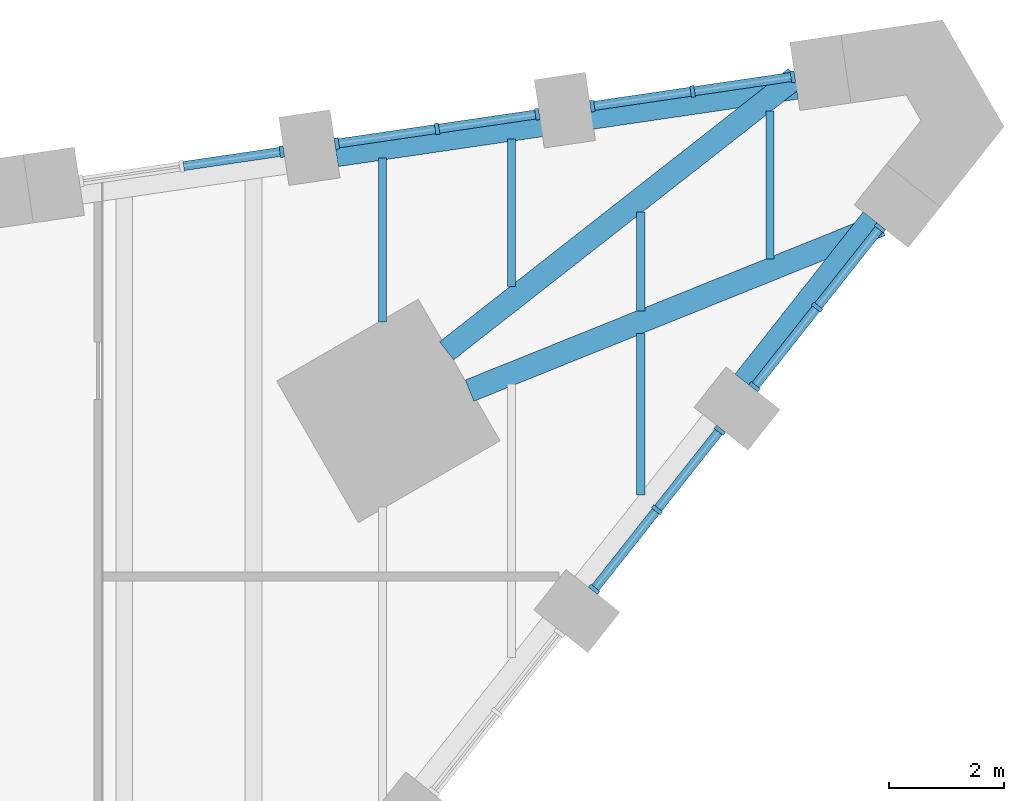
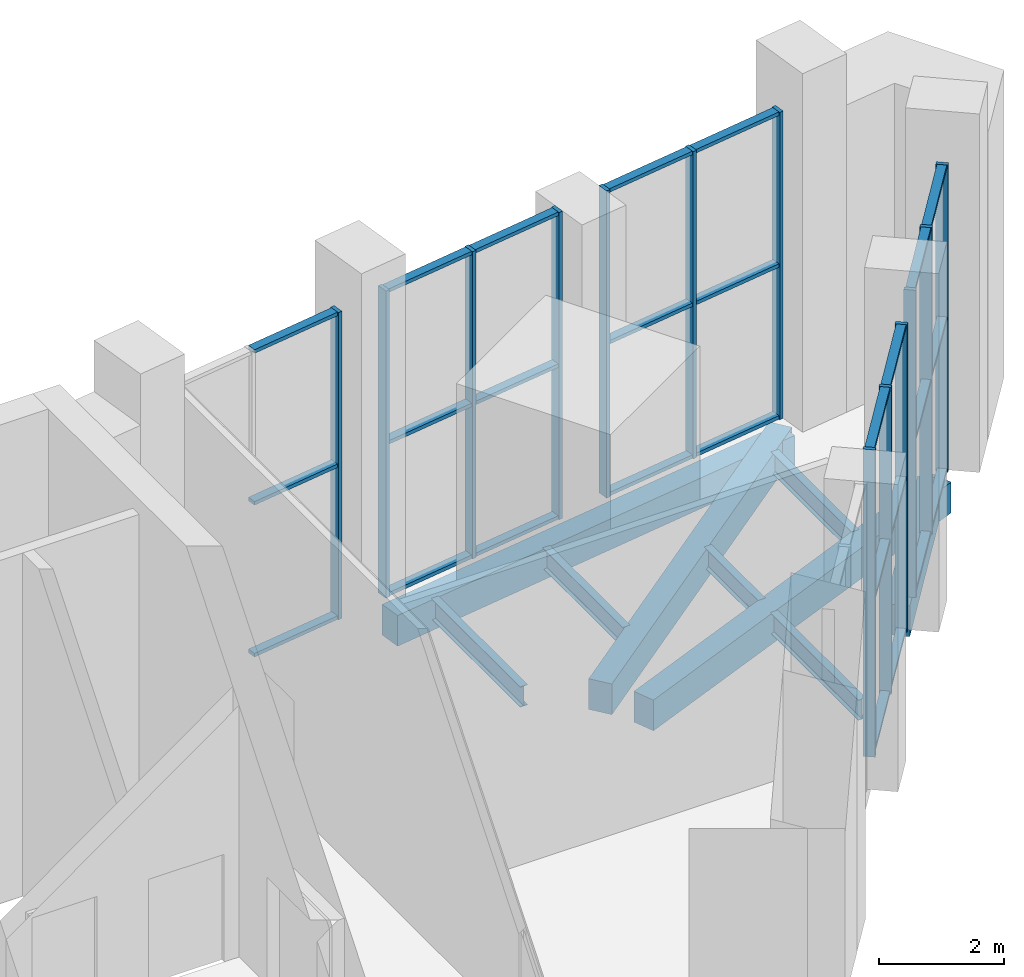
# One storey, part 8 of 17: 40 members, 9 beams, 5 elements without a shape of their own.
"""IFC4 building model written with IfcOpenShell, lengths in metres."""

import ifcopenshell
import ifcopenshell.guid

model = None  # the IFC model being written
_history = None  # IfcOwnerHistory: only IFC2X3 demands one
_inside = {}  # id of a spatial element -> (the spatial element, [elements in it])
_under = {}  # id of a project, library or spatial element -> (it, [spatial elements below it])
_declared = {}  # id of a project -> (the project, [libraries it declares])
_typed = {}  # id of a type object -> (the type object, [elements of that type])
_made_of = {}  # id of a material, layer set ... -> (it, [elements and type objects made of it])


def new_model(schema):
    """Start an empty IFC model of exactly this schema.

    Asked for "IFC4X3", IfcOpenShell would pick the latest addendum, in which some entities
    have other attributes; the version numbers below select the first issue.
    IFC2X3 requires an IfcOwnerHistory on every rooted entity: one is made here for all.
    """
    global model, _history
    if schema == "IFC4X3":
        model = ifcopenshell.file(schema_version=(4, 3, 0, 0))
    else:
        model = ifcopenshell.file(schema=schema)
    _inside.clear()
    _under.clear()
    _declared.clear()
    _typed.clear()
    _made_of.clear()
    _history = None
    if model.schema == "IFC2X3":
        org = make("IfcOrganization", Name="unknown")
        user = make(
            "IfcPersonAndOrganization",
            ThePerson=make("IfcPerson", FamilyName="unknown"),
            TheOrganization=org,
        )
        app = make(
            "IfcApplication",
            ApplicationDeveloper=org,
            Version="unknown",
            ApplicationFullName="unknown",
            ApplicationIdentifier="unknown",
        )
        _history = make(
            "IfcOwnerHistory",
            OwningUser=user,
            OwningApplication=app,
            ChangeAction="ADDED",
            CreationDate=0,
        )
    return model


def make(cls, **values):
    """One entity of the class cls with the attributes given. An attribute that is None is left unset."""
    return model.create_entity(
        cls, **{name: value for name, value in values.items() if value is not None}
    )


def rooted(cls, **values):
    """An entity with a GlobalId (a new one), such as an element, a storey or a relation."""
    return make(cls, GlobalId=ifcopenshell.guid.new(), OwnerHistory=_history, **values)


def si_unit(unit_type, name, prefix=None):
    """IfcSIUnit, for example si_unit("LENGTHUNIT", "METRE", prefix="MILLI")."""
    return make("IfcSIUnit", UnitType=unit_type, Prefix=prefix, Name=name)


def assignment(units):
    """IfcUnitAssignment: the units of a project."""
    return None if units is None else make("IfcUnitAssignment", Units=units)


def point(xyz):
    """IfcCartesianPoint."""
    return None if xyz is None else make("IfcCartesianPoint", Coordinates=xyz)


def direction(xyz):
    """IfcDirection."""
    return None if xyz is None else make("IfcDirection", DirectionRatios=xyz)


def frame(location, z_axis=None, x_axis=None):
    """IfcAxis2Placement3D, a coordinate frame: its origin and axes. An axis left out is left unset."""
    return make(
        "IfcAxis2Placement3D",
        Location=point(location),
        Axis=direction(z_axis),
        RefDirection=direction(x_axis),
    )


def frame_2d(location, x_axis=None):
    """IfcAxis2Placement2D, a coordinate frame in the plane: its origin and x axis."""
    return make(
        "IfcAxis2Placement2D", Location=point(location), RefDirection=direction(x_axis)
    )


def origin():
    """The frame at (0, 0, 0) with its axes left unset."""
    return frame((0.0, 0.0, 0.0))


def origin_2d():
    """The frame at (0, 0) in the plane with its x axis left unset."""
    return frame_2d((0.0, 0.0))


def place(relative_to, where):
    """IfcLocalPlacement: puts the frame where relative to a parent placement (None: the world)."""
    return make(
        "IfcLocalPlacement", PlacementRelTo=relative_to, RelativePlacement=where
    )


def context(
    kind, dimensions, precision=None, world=None, true_north=None, identifier=None
):
    """IfcGeometricRepresentationContext, for example the 3D "Model" context."""
    return make(
        "IfcGeometricRepresentationContext",
        ContextIdentifier=identifier,
        ContextType=kind,
        CoordinateSpaceDimension=dimensions,
        Precision=precision,
        WorldCoordinateSystem=world,
        TrueNorth=true_north,
    )


def subcontext(parent, identifier, kind, view, scale=None):
    """IfcGeometricRepresentationSubContext, for example "Body" below "Model"."""
    return make(
        "IfcGeometricRepresentationSubContext",
        ContextIdentifier=identifier,
        ContextType=kind,
        ParentContext=parent,
        TargetScale=scale,
        TargetView=view,
    )


def project(units=None, contexts=None):
    """IfcProject with its units and contexts."""
    return rooted(
        "IfcProject",
        Name="project",
        RepresentationContexts=contexts,
        UnitsInContext=assignment(units),
    )


def spatial(cls, under=None, at=None, **own):
    """A site, building, storey or space (cls), placed at a placement, below another one or the project."""
    s = rooted(cls, ObjectPlacement=at, **own)
    if under is not None:
        _under.setdefault(under.id(), (under, []))[1].append(s)
    return s


def profile(cls, at=None, kind="AREA", **sizes):
    """A parametric profile (cls). Its sizes go by their IFC names, for example OverallWidth=200.0."""
    return make(cls, ProfileType=kind, Position=at, **sizes)


def rectangle(**sizes):
    """IfcRectangleProfileDef."""
    return profile("IfcRectangleProfileDef", **sizes)


def i_section(**sizes):
    """IfcIShapeProfileDef."""
    return profile("IfcIShapeProfileDef", **sizes)


def extrude(swept, where, along, depth):
    """IfcExtrudedAreaSolid: the profile swept, set in the frame where, extruded along a direction by depth."""
    return make(
        "IfcExtrudedAreaSolid",
        SweptArea=swept,
        Position=where,
        ExtrudedDirection=direction(along),
        Depth=depth,
    )


def shape(context_of_items, identifier, shape_type, items):
    """IfcShapeRepresentation: the items that make up one representation, for example the "Body"."""
    return make(
        "IfcShapeRepresentation",
        ContextOfItems=context_of_items,
        RepresentationIdentifier=identifier,
        RepresentationType=shape_type,
        Items=items,
    )


def material(Name=None, Category=None):
    """IfcMaterial."""
    return make("IfcMaterial", Name=Name, Category=Category)


def material_profile(
    of_material, cross_section, Name=None, Category=None, Priority=None
):
    """IfcMaterialProfile: a cross section and its material."""
    return make(
        "IfcMaterialProfile",
        Name=Name,
        Material=of_material,
        Profile=cross_section,
        Priority=Priority,
        Category=Category,
    )


def profile_set(profiles, Name=None, composite=None):
    """IfcMaterialProfileSet."""
    return make(
        "IfcMaterialProfileSet",
        Name=Name,
        MaterialProfiles=profiles,
        CompositeProfile=composite,
    )


def made_of(thing, what):
    """Note that an element or type object is made of a material, layer set ...; save() writes the relation."""
    if what is not None:
        _made_of.setdefault(what.id(), (what, []))[1].append(thing)
    return thing


def type_object(cls, material=None, **own):
    """A type object (cls), such as IfcWallType, which elements share."""
    return made_of(rooted(cls, **own), material)


def element(
    cls,
    number,
    at=None,
    inside=None,
    cuts=None,
    type_object=None,
    material=None,
    context=None,
    identifier="Body",
    shape_type=None,
    held_by="IfcProductDefinitionShape",
    body=None,
    shapes=None,
    **own,
):
    """One element of the class cls, such as IfcWall. Its Tag is "e" and its number.

    at: its placement. inside: the storey or other place that contains it. cuts: it is an
    opening in that element (IfcRelVoidsElement). A single representation is given by context,
    identifier, shape_type and body (its items); several are given by shapes. held_by: the class
    of the entity that holds the representations. save() writes the other relations.
    """
    e = rooted(cls, Tag="e%d" % number, ObjectPlacement=at, **own)
    if body is not None:
        shapes = [shape(context, identifier, shape_type, body)]
    if shapes is not None:
        e.Representation = make(held_by, Representations=shapes)
    if inside is not None:
        _inside.setdefault(inside.id(), (inside, []))[1].append(e)
    if cuts is not None:
        rooted(
            "IfcRelVoidsElement", RelatingBuildingElement=cuts, RelatedOpeningElement=e
        )
    if type_object is not None:
        _typed.setdefault(type_object.id(), (type_object, []))[1].append(e)
    return made_of(e, material)


def aggregate(whole, parts):
    """IfcRelAggregates: a whole, such as a stair, and the parts it consists of."""
    return rooted("IfcRelAggregates", RelatingObject=whole, RelatedObjects=parts)


def save(model, path):
    """Write the relations noted so far, then the file.

    IfcRelAggregates (storeys below a building ...), IfcRelContainedInSpatialStructure (elements
    in a storey), IfcRelDefinesByType, IfcRelAssociatesMaterial and IfcRelDeclares: one each for
    every whole, place, type object, material and project.
    """
    for whole, parts in _under.values():
        aggregate(whole, parts)
    for where, things in _inside.values():
        rooted(
            "IfcRelContainedInSpatialStructure",
            RelatedElements=things,
            RelatingStructure=where,
        )
    for kind, things in _typed.values():
        rooted("IfcRelDefinesByType", RelatedObjects=things, RelatingType=kind)
    for what, things in _made_of.values():
        rooted("IfcRelAssociatesMaterial", RelatedObjects=things, RelatingMaterial=what)
    for by, libraries in _declared.values():
        rooted("IfcRelDeclares", RelatingContext=by, RelatedDefinitions=libraries)
    model.write(path)


model = new_model("IFC4")

# Units and contexts
model_context = context("Model", 3, precision=1e-05, world=origin(), true_north=direction((0.0, 1.0)))
body_context = subcontext(model_context, "Body", "Model", "MODEL_VIEW")
ifc_project = project(units=[si_unit("LENGTHUNIT", "METRE"), si_unit("AREAUNIT", "SQUARE_METRE"), si_unit("VOLUMEUNIT", "CUBIC_METRE"), si_unit("PLANEANGLEUNIT", "RADIAN"), si_unit("MASSUNIT", "GRAM", prefix="KILO")], contexts=[model_context])

# Site, building, storey
site_placement = place(None, origin())
site = spatial("IfcSite", under=ifc_project, at=site_placement, CompositionType="ELEMENT")
building_placement = place(site_placement, origin())
building = spatial("IfcBuilding", under=site, at=building_placement, Name="Calabash Gate Tower", CompositionType="ELEMENT")
storey_placement = place(building_placement, frame((0.0, 0.0, 132.60009765625)))
storey = spatial("IfcBuildingStorey", under=building, at=storey_placement, Name="L31", CompositionType="ELEMENT", Elevation=132.60009765625)

# Beams
ifc_material_1 = material(Name="Concrete C60/75", Category="concrete")
ifc_material_profile_1 = material_profile(ifc_material_1, rectangle(XDim=0.39990234375, YDim=0.60009765625, at=origin_2d()))
ifc_profile_set_1 = profile_set([ifc_material_profile_1], Name="Concrete C60/75")
beam_type_1 = type_object("IfcBeamType", Name="Edge beam RC 400x600 Concrete C60/75", PredefinedType="BEAM", material=ifc_profile_set_1)
beam_1_placement = place(storey_placement, frame((31.051025390625, 15.90087890625, -0.47021484375), z_axis=(0.619938740258, 0.784650213998, 0.0), x_axis=(-0.784650213998, 0.619938740258, 0.0)))
element("IfcBeam", 1, at=beam_1_placement, inside=storey, type_object=beam_type_1, Name="Edge beam L31 12", PredefinedType="BEAM", context=body_context, shape_type="SweptSolid", body=[
    extrude(rectangle(XDim=0.39990234375, YDim=0.60009765625, at=origin_2d()), origin(), (0.0, 0.0, 1.0), 3.601806640625),
])
beam_2_placement = place(storey_placement, frame((33.431884765625, 18.6220703125, -0.47021484375), z_axis=(-0.927578087242, -0.373629351187, 0.0), x_axis=(0.373629351187, -0.927578087242, 0.0)))
element("IfcBeam", 2, at=beam_2_placement, inside=storey, type_object=beam_type_1, Name="Edge beam L31 13", PredefinedType="BEAM", context=body_context, shape_type="SweptSolid", body=[
    extrude(rectangle(XDim=0.39990234375, YDim=0.60009765625, at=origin_2d()), origin(), (0.0, 0.0, 1.0), 7.72412109375),
])
beam_3_placement = place(storey_placement, frame((25.866943359375, 16.429931640625, -0.47021484375), z_axis=(0.78732420498, 0.616539209015, 0.0), x_axis=(-0.616539209015, 0.78732420498, 0.0)))
element("IfcBeam", 3, at=beam_3_placement, inside=storey, type_object=beam_type_1, Name="Edge beam L31 14", PredefinedType="BEAM", context=body_context, shape_type="SweptSolid", body=[
    extrude(rectangle(XDim=0.39990234375, YDim=0.60009765625, at=origin_2d()), origin(), (0.0, 0.0, 1.0), 7.7236328125),
])
beam_4_placement = place(storey_placement, frame((31.964111328125, 21.012939453125, -0.47021484375), z_axis=(-0.989423855138, -0.145053213974, 0.0), x_axis=(0.145053213974, -0.989423855138, 0.0)))
element("IfcBeam", 4, at=beam_4_placement, inside=storey, type_object=beam_type_1, Name="Edge beam L31 15", PredefinedType="BEAM", context=body_context, shape_type="SweptSolid", body=[
    extrude(rectangle(XDim=0.39990234375, YDim=0.60009765625, at=origin_2d()), origin(), (0.0, 0.0, 1.0), 8.100830078125),
])
ifc_material_2 = material(Name="Steel ASTM A992 Gr50", Category="steel")
ifc_material_profile_2 = material_profile(ifc_material_2, i_section(OverallWidth=0.1396484375, OverallDepth=0.398681640625, WebThickness=0.00634765625, FlangeThickness=0.0087890625, FilletRadius=0.01025390625, at=origin_2d()))
ifc_profile_set_2 = profile_set([ifc_material_profile_2], Name="Steel ASTM A992 Gr50")
beam_type_2 = type_object("IfcBeamType", Name="Floor beam W16x26 ASTM A992 Gr50", PredefinedType="BEAM", material=ifc_profile_set_2)
beam_5_placement = place(storey_placement, frame((24.75, 16.93603515625, -0.369140625), z_axis=(0.0, 1.0, 0.0), x_axis=(-1.0, 0.0, 0.0)))
element("IfcBeam", 5, at=beam_5_placement, inside=storey, type_object=beam_type_2, Name="Floor beam L31 37", PredefinedType="BEAM", context=body_context, shape_type="SweptSolid", body=[
    extrude(i_section(OverallWidth=0.1396484375, OverallDepth=0.398681640625, WebThickness=0.00634765625, FlangeThickness=0.0087890625, FilletRadius=0.01025390625, at=origin_2d()), origin(), (0.0, 0.0, 1.0), 2.85107421875),
])
beam_6_placement = place(storey_placement, frame((27.0, 17.550048828125, -0.369140625), z_axis=(0.0, 1.0, 0.0), x_axis=(-1.0, 0.0, 0.0)))
element("IfcBeam", 6, at=beam_6_placement, inside=storey, type_object=beam_type_2, Name="Floor beam L31 39", PredefinedType="BEAM", context=body_context, shape_type="SweptSolid", body=[
    extrude(i_section(OverallWidth=0.1396484375, OverallDepth=0.398681640625, WebThickness=0.00634765625, FlangeThickness=0.0087890625, FilletRadius=0.01025390625, at=origin_2d()), origin(), (0.0, 0.0, 1.0), 2.56689453125),
])
beam_7_placement = place(storey_placement, frame((29.25, 13.9140625, -0.369140625), z_axis=(0.0, 1.0, 0.0), x_axis=(-1.0, 0.0, 0.0)))
element("IfcBeam", 7, at=beam_7_placement, inside=storey, type_object=beam_type_2, Name="Floor beam L31 40", PredefinedType="BEAM", context=body_context, shape_type="SweptSolid", body=[
    extrude(i_section(OverallWidth=0.1396484375, OverallDepth=0.398681640625, WebThickness=0.00634765625, FlangeThickness=0.0087890625, FilletRadius=0.01025390625, at=origin_2d()), origin(), (0.0, 0.0, 1.0), 2.81982421875),
])
beam_8_placement = place(storey_placement, frame((29.25, 17.12109375, -0.369140625), z_axis=(0.0, 1.0, 0.0), x_axis=(-1.0, 0.0, 0.0)))
element("IfcBeam", 8, at=beam_8_placement, inside=storey, type_object=beam_type_2, Name="Floor beam L31 41", PredefinedType="BEAM", context=body_context, shape_type="SweptSolid", body=[
    extrude(i_section(OverallWidth=0.1396484375, OverallDepth=0.398681640625, WebThickness=0.00634765625, FlangeThickness=0.0087890625, FilletRadius=0.01025390625, at=origin_2d()), origin(), (0.0, 0.0, 1.0), 1.725830078125),
])
beam_9_placement = place(storey_placement, frame((31.5, 18.028076171875, -0.369140625), z_axis=(0.0, 1.0, 0.0), x_axis=(-1.0, 0.0, 0.0)))
element("IfcBeam", 9, at=beam_9_placement, inside=storey, type_object=beam_type_2, Name="Floor beam L31 42", PredefinedType="BEAM", context=body_context, shape_type="SweptSolid", body=[
    extrude(i_section(OverallWidth=0.1396484375, OverallDepth=0.398681640625, WebThickness=0.00634765625, FlangeThickness=0.0087890625, FilletRadius=0.01025390625, at=origin_2d()), origin(), (0.0, 0.0, 1.0), 2.580810546875),
])

# Curtain wall, members
ifc_material_3 = material(Name="Anodised aluminium frame, bronze finish, clear laminated impact-rated glazing", Category="aluminium")
curtain_wall_type = type_object("IfcCurtainWallType", Name="Curtain wall CWW wedge prow wall", PredefinedType="NOTDEFINED", material=ifc_material_3)
curtain_wall_1_placement = place(storey_placement, origin())
curtain_wall_1 = element("IfcCurtainWall", 10, at=curtain_wall_1_placement, inside=storey, type_object=curtain_wall_type, Name="Curtain wall CWW L31 wedge3.2", PredefinedType="NOTDEFINED")
ifc_material_4 = material(Name="Anodised aluminium frame, bronze finish", Category="aluminium")
ifc_material_profile_3 = material_profile(ifc_material_4, rectangle(XDim=0.199951171875, YDim=0.070068359375, at=origin_2d()))
ifc_profile_set_3 = profile_set([ifc_material_profile_3], Name="Anodised aluminium frame, bronze finish")
member_type_1 = type_object("IfcMemberType", Name="Mullion CWW 70x200", PredefinedType="MULLION", material=ifc_profile_set_3)
member_1_placement = place(storey_placement, frame((28.4384765625, 12.275146484375, 0.0), z_axis=(0.0, 0.0, 1.0), x_axis=(-0.784363711945, 0.620301190861, 0.0)))
member_1 = element("IfcMember", 11, at=member_1_placement, type_object=member_type_1, Name="CWW mullion 1", PredefinedType="MULLION", context=body_context, shape_type="SweptSolid", body=[
    extrude(rectangle(XDim=0.199951171875, YDim=0.070068359375, at=origin_2d()), origin(), (0.0, 0.0, 1.0), 6.0),
])
member_2_placement = place(storey_placement, frame((29.533447265625, 13.659423828125, 0.0), z_axis=(0.0, 0.0, 1.0), x_axis=(-0.784363711945, 0.620301190861, 0.0)))
member_2 = element("IfcMember", 12, at=member_2_placement, type_object=member_type_1, Name="CWW mullion 2", PredefinedType="MULLION", context=body_context, shape_type="SweptSolid", body=[
    extrude(rectangle(XDim=0.199951171875, YDim=0.070068359375, at=origin_2d()), origin(), (0.0, 0.0, 1.0), 6.0),
])
member_3_placement = place(storey_placement, frame((30.628173828125, 15.0439453125, 0.0), z_axis=(0.0, 0.0, 1.0), x_axis=(-0.784363711945, 0.620301190861, 0.0)))
member_3 = element("IfcMember", 13, at=member_3_placement, type_object=member_type_1, Name="CWW mullion 3", PredefinedType="MULLION", context=body_context, shape_type="SweptSolid", body=[
    extrude(rectangle(XDim=0.199951171875, YDim=0.070068359375, at=origin_2d()), origin(), (0.0, 0.0, 1.0), 6.0),
])

curtain_wall_2_placement = place(storey_placement, origin())
curtain_wall_2 = element("IfcCurtainWall", 14, at=curtain_wall_2_placement, inside=storey, type_object=curtain_wall_type, Name="Curtain wall CWW L31 wedge3.3", PredefinedType="NOTDEFINED")
member_4_placement = place(storey_placement, frame((31.22998046875, 15.8046875, 0.0), z_axis=(0.0, 0.0, 1.0), x_axis=(-0.784363818833, 0.620301055702, 0.0)))
member_4 = element("IfcMember", 15, at=member_4_placement, type_object=member_type_1, Name="CWW mullion 1", PredefinedType="MULLION", context=body_context, shape_type="SweptSolid", body=[
    extrude(rectangle(XDim=0.199951171875, YDim=0.070068359375, at=origin_2d()), origin(), (0.0, 0.0, 1.0), 6.0),
])
member_5_placement = place(storey_placement, frame((32.32470703125, 17.189208984375, 0.0), z_axis=(0.0, 0.0, 1.0), x_axis=(-0.784363818833, 0.620301055702, 0.0)))
member_5 = element("IfcMember", 16, at=member_5_placement, type_object=member_type_1, Name="CWW mullion 2", PredefinedType="MULLION", context=body_context, shape_type="SweptSolid", body=[
    extrude(rectangle(XDim=0.199951171875, YDim=0.070068359375, at=origin_2d()), origin(), (0.0, 0.0, 1.0), 6.0),
])
member_6_placement = place(storey_placement, frame((33.41943359375, 18.573486328125, 0.0), z_axis=(0.0, 0.0, 1.0), x_axis=(-0.784363818833, 0.620301055702, 0.0)))
member_6 = element("IfcMember", 17, at=member_6_placement, type_object=member_type_1, Name="CWW mullion 3", PredefinedType="MULLION", context=body_context, shape_type="SweptSolid", body=[
    extrude(rectangle(XDim=0.199951171875, YDim=0.070068359375, at=origin_2d()), origin(), (0.0, 0.0, 1.0), 6.0),
])

curtain_wall_3_placement = place(storey_placement, origin())
curtain_wall_3 = element("IfcCurtainWall", 18, at=curtain_wall_3_placement, inside=storey, type_object=curtain_wall_type, Name="Curtain wall CWW L31 wedge5.1", PredefinedType="NOTDEFINED")
member_7_placement = place(storey_placement, frame((31.89990234375, 21.20556640625, 0.0), z_axis=(0.0, 0.0, 1.0), x_axis=(0.145014729823, -0.989429496293, 0.0)))
member_7 = element("IfcMember", 19, at=member_7_placement, type_object=member_type_1, Name="CWW mullion 1", PredefinedType="MULLION", context=body_context, shape_type="SweptSolid", body=[
    extrude(rectangle(XDim=0.199951171875, YDim=0.070068359375, at=origin_2d()), origin(), (0.0, 0.0, 1.0), 6.0),
])
member_8_placement = place(storey_placement, frame((30.153564453125, 20.94970703125, 0.0), z_axis=(0.0, 0.0, 1.0), x_axis=(0.145014729823, -0.989429496293, 0.0)))
member_8 = element("IfcMember", 20, at=member_8_placement, type_object=member_type_1, Name="CWW mullion 2", PredefinedType="MULLION", context=body_context, shape_type="SweptSolid", body=[
    extrude(rectangle(XDim=0.199951171875, YDim=0.070068359375, at=origin_2d()), origin(), (0.0, 0.0, 1.0), 6.0),
])
member_9_placement = place(storey_placement, frame((28.4072265625, 20.693603515625, 0.0), z_axis=(0.0, 0.0, 1.0), x_axis=(0.145014729823, -0.989429496293, 0.0)))
member_9 = element("IfcMember", 21, at=member_9_placement, type_object=member_type_1, Name="CWW mullion 3", PredefinedType="MULLION", context=body_context, shape_type="SweptSolid", body=[
    extrude(rectangle(XDim=0.199951171875, YDim=0.070068359375, at=origin_2d()), origin(), (0.0, 0.0, 1.0), 6.0),
])

curtain_wall_4_placement = place(storey_placement, origin())
curtain_wall_4 = element("IfcCurtainWall", 22, at=curtain_wall_4_placement, inside=storey, type_object=curtain_wall_type, Name="Curtain wall CWW L31 wedge5.2", PredefinedType="NOTDEFINED")
member_10_placement = place(storey_placement, frame((27.447509765625, 20.552978515625, 0.0), z_axis=(0.0, 0.0, 1.0), x_axis=(0.145014729823, -0.989429496293, 0.0)))
member_10 = element("IfcMember", 23, at=member_10_placement, type_object=member_type_1, Name="CWW mullion 1", PredefinedType="MULLION", context=body_context, shape_type="SweptSolid", body=[
    extrude(rectangle(XDim=0.199951171875, YDim=0.070068359375, at=origin_2d()), origin(), (0.0, 0.0, 1.0), 6.0),
])
member_11_placement = place(storey_placement, frame((25.701171875, 20.297119140625, 0.0), z_axis=(0.0, 0.0, 1.0), x_axis=(0.145014729823, -0.989429496293, 0.0)))
member_11 = element("IfcMember", 24, at=member_11_placement, type_object=member_type_1, Name="CWW mullion 2", PredefinedType="MULLION", context=body_context, shape_type="SweptSolid", body=[
    extrude(rectangle(XDim=0.199951171875, YDim=0.070068359375, at=origin_2d()), origin(), (0.0, 0.0, 1.0), 6.0),
])
member_12_placement = place(storey_placement, frame((23.954833984375, 20.041015625, 0.0), z_axis=(0.0, 0.0, 1.0), x_axis=(0.145014729823, -0.989429496293, 0.0)))
member_12 = element("IfcMember", 25, at=member_12_placement, type_object=member_type_1, Name="CWW mullion 3", PredefinedType="MULLION", context=body_context, shape_type="SweptSolid", body=[
    extrude(rectangle(XDim=0.199951171875, YDim=0.070068359375, at=origin_2d()), origin(), (0.0, 0.0, 1.0), 6.0),
])

# Curtain wall, member
curtain_wall_5_placement = place(storey_placement, origin())
curtain_wall_5 = element("IfcCurtainWall", 26, at=curtain_wall_5_placement, inside=storey, type_object=curtain_wall_type, Name="Curtain wall CWW L31 wedge5.3", PredefinedType="NOTDEFINED")
member_13_placement = place(storey_placement, frame((22.9951171875, 19.900390625, 0.0), z_axis=(0.0, 0.0, 1.0), x_axis=(0.145014729823, -0.989429496293, 0.0)))
member_13 = element("IfcMember", 27, at=member_13_placement, type_object=member_type_1, Name="CWW mullion 1", PredefinedType="MULLION", context=body_context, shape_type="SweptSolid", body=[
    extrude(rectangle(XDim=0.199951171875, YDim=0.070068359375, at=origin_2d()), origin(), (0.0, 0.0, 1.0), 6.0),
])

# Member
ifc_material_5 = material(Name="Anodised aluminium frame, bronze finish", Category="aluminium")
ifc_material_profile_4 = material_profile(ifc_material_5, rectangle(XDim=0.159912109375, YDim=0.070068359375, at=origin_2d()))
ifc_profile_set_4 = profile_set([ifc_material_profile_4], Name="Anodised aluminium frame, bronze finish")
member_type_2 = type_object("IfcMemberType", Name="Transom CWW 70x160", PredefinedType="USERDEFINED", material=ifc_profile_set_4)
member_14_placement = place(storey_placement, frame((28.460205078125, 12.302490234375, 0.034912109375), z_axis=(0.620311834798, 0.784355294244, 0.0), x_axis=(-0.784355294244, 0.620311834798, 0.0)))
member_14 = element("IfcMember", 28, at=member_14_placement, type_object=member_type_2, Name="CWW transom 1.1", ObjectType="TRANSOM", PredefinedType="USERDEFINED", context=body_context, shape_type="SweptSolid", body=[
    extrude(rectangle(XDim=0.159912109375, YDim=0.070068359375, at=origin_2d()), origin(), (0.0, 0.0, 1.0), 1.695068359375),
])

member_15_placement = place(storey_placement, frame((28.460205078125, 12.302490234375, 3.0), z_axis=(0.620311834798, 0.784355294244, 0.0), x_axis=(-0.784355294244, 0.620311834798, 0.0)))
member_15 = element("IfcMember", 29, at=member_15_placement, type_object=member_type_2, Name="CWW transom 1.2", ObjectType="TRANSOM", PredefinedType="USERDEFINED", context=body_context, shape_type="SweptSolid", body=[
    extrude(rectangle(XDim=0.159912109375, YDim=0.070068359375, at=origin_2d()), origin(), (0.0, 0.0, 1.0), 1.695068359375),
])

member_16_placement = place(storey_placement, frame((28.460205078125, 12.302490234375, 5.96484375), z_axis=(0.620311834798, 0.784355294244, 0.0), x_axis=(-0.784355294244, 0.620311834798, 0.0)))
member_16 = element("IfcMember", 30, at=member_16_placement, type_object=member_type_2, Name="CWW transom 1.3", ObjectType="TRANSOM", PredefinedType="USERDEFINED", context=body_context, shape_type="SweptSolid", body=[
    extrude(rectangle(XDim=0.159912109375, YDim=0.070068359375, at=origin_2d()), origin(), (0.0, 0.0, 1.0), 1.695068359375),
])

member_17_placement = place(storey_placement, frame((29.55517578125, 13.68701171875, 0.034912109375), z_axis=(0.62029329953, 0.78436995261, 0.0), x_axis=(-0.78436995261, 0.62029329953, 0.0)))
member_17 = element("IfcMember", 31, at=member_17_placement, type_object=member_type_2, Name="CWW transom 2.1", ObjectType="TRANSOM", PredefinedType="USERDEFINED", context=body_context, shape_type="SweptSolid", body=[
    extrude(rectangle(XDim=0.159912109375, YDim=0.070068359375, at=origin_2d()), origin(), (0.0, 0.0, 1.0), 1.69482421875),
])

member_18_placement = place(storey_placement, frame((29.55517578125, 13.68701171875, 3.0), z_axis=(0.62029329953, 0.78436995261, 0.0), x_axis=(-0.78436995261, 0.62029329953, 0.0)))
member_18 = element("IfcMember", 32, at=member_18_placement, type_object=member_type_2, Name="CWW transom 2.2", ObjectType="TRANSOM", PredefinedType="USERDEFINED", context=body_context, shape_type="SweptSolid", body=[
    extrude(rectangle(XDim=0.159912109375, YDim=0.070068359375, at=origin_2d()), origin(), (0.0, 0.0, 1.0), 1.69482421875),
])

member_19_placement = place(storey_placement, frame((29.55517578125, 13.68701171875, 5.96484375), z_axis=(0.62029329953, 0.78436995261, 0.0), x_axis=(-0.78436995261, 0.62029329953, 0.0)))
member_19 = element("IfcMember", 33, at=member_19_placement, type_object=member_type_2, Name="CWW transom 2.3", ObjectType="TRANSOM", PredefinedType="USERDEFINED", context=body_context, shape_type="SweptSolid", body=[
    extrude(rectangle(XDim=0.159912109375, YDim=0.070068359375, at=origin_2d()), origin(), (0.0, 0.0, 1.0), 1.69482421875),
])

aggregate(curtain_wall_1, [member_1, member_2, member_3, member_14, member_15, member_16, member_17, member_18, member_19])

member_20_placement = place(storey_placement, frame((31.251708984375, 15.83203125, 0.034912109375), z_axis=(0.620223217387, 0.784425369691, 0.0), x_axis=(-0.784425369691, 0.620223217387, 0.0)))
member_20 = element("IfcMember", 34, at=member_20_placement, type_object=member_type_2, Name="CWW transom 1.1", ObjectType="TRANSOM", PredefinedType="USERDEFINED", context=body_context, shape_type="SweptSolid", body=[
    extrude(rectangle(XDim=0.159912109375, YDim=0.070068359375, at=origin_2d()), origin(), (0.0, 0.0, 1.0), 1.695068359375),
])

member_21_placement = place(storey_placement, frame((31.251708984375, 15.83203125, 3.0), z_axis=(0.620223217387, 0.784425369691, 0.0), x_axis=(-0.784425369691, 0.620223217387, 0.0)))
member_21 = element("IfcMember", 35, at=member_21_placement, type_object=member_type_2, Name="CWW transom 1.2", ObjectType="TRANSOM", PredefinedType="USERDEFINED", context=body_context, shape_type="SweptSolid", body=[
    extrude(rectangle(XDim=0.159912109375, YDim=0.070068359375, at=origin_2d()), origin(), (0.0, 0.0, 1.0), 1.695068359375),
])

member_22_placement = place(storey_placement, frame((31.251708984375, 15.83203125, 5.96484375), z_axis=(0.620223217387, 0.784425369691, 0.0), x_axis=(-0.784425369691, 0.620223217387, 0.0)))
member_22 = element("IfcMember", 36, at=member_22_placement, type_object=member_type_2, Name="CWW transom 1.3", ObjectType="TRANSOM", PredefinedType="USERDEFINED", context=body_context, shape_type="SweptSolid", body=[
    extrude(rectangle(XDim=0.159912109375, YDim=0.070068359375, at=origin_2d()), origin(), (0.0, 0.0, 1.0), 1.695068359375),
])

member_23_placement = place(storey_placement, frame((32.346435546875, 17.216552734375, 0.034912109375), z_axis=(0.620311834798, 0.784355294244, 0.0), x_axis=(-0.784355294244, 0.620311834798, 0.0)))
member_23 = element("IfcMember", 37, at=member_23_placement, type_object=member_type_2, Name="CWW transom 2.1", ObjectType="TRANSOM", PredefinedType="USERDEFINED", context=body_context, shape_type="SweptSolid", body=[
    extrude(rectangle(XDim=0.159912109375, YDim=0.070068359375, at=origin_2d()), origin(), (0.0, 0.0, 1.0), 1.695068359375),
])

member_24_placement = place(storey_placement, frame((32.346435546875, 17.216552734375, 3.0), z_axis=(0.620311834798, 0.784355294244, 0.0), x_axis=(-0.784355294244, 0.620311834798, 0.0)))
member_24 = element("IfcMember", 38, at=member_24_placement, type_object=member_type_2, Name="CWW transom 2.2", ObjectType="TRANSOM", PredefinedType="USERDEFINED", context=body_context, shape_type="SweptSolid", body=[
    extrude(rectangle(XDim=0.159912109375, YDim=0.070068359375, at=origin_2d()), origin(), (0.0, 0.0, 1.0), 1.695068359375),
])

member_25_placement = place(storey_placement, frame((32.346435546875, 17.216552734375, 5.96484375), z_axis=(0.620311834798, 0.784355294244, 0.0), x_axis=(-0.784355294244, 0.620311834798, 0.0)))
member_25 = element("IfcMember", 39, at=member_25_placement, type_object=member_type_2, Name="CWW transom 2.3", ObjectType="TRANSOM", PredefinedType="USERDEFINED", context=body_context, shape_type="SweptSolid", body=[
    extrude(rectangle(XDim=0.159912109375, YDim=0.070068359375, at=origin_2d()), origin(), (0.0, 0.0, 1.0), 1.695068359375),
])

aggregate(curtain_wall_2, [member_4, member_5, member_6, member_20, member_21, member_22, member_23, member_24, member_25])

member_26_placement = place(storey_placement, frame((31.865234375, 21.200439453125, 0.034912109375), z_axis=(-0.989424287732, -0.145050263174, 0.0), x_axis=(0.145050263174, -0.989424287732, 0.0)))
member_26 = element("IfcMember", 40, at=member_26_placement, type_object=member_type_2, Name="CWW transom 1.1", ObjectType="TRANSOM", PredefinedType="USERDEFINED", context=body_context, shape_type="SweptSolid", body=[
    extrude(rectangle(XDim=0.159912109375, YDim=0.070068359375, at=origin_2d()), origin(), (0.0, 0.0, 1.0), 1.69482421875),
])

member_27_placement = place(storey_placement, frame((31.865234375, 21.200439453125, 3.0), z_axis=(-0.989424287732, -0.145050263174, 0.0), x_axis=(0.145050263174, -0.989424287732, 0.0)))
member_27 = element("IfcMember", 41, at=member_27_placement, type_object=member_type_2, Name="CWW transom 1.2", ObjectType="TRANSOM", PredefinedType="USERDEFINED", context=body_context, shape_type="SweptSolid", body=[
    extrude(rectangle(XDim=0.159912109375, YDim=0.070068359375, at=origin_2d()), origin(), (0.0, 0.0, 1.0), 1.69482421875),
])

member_28_placement = place(storey_placement, frame((31.865234375, 21.200439453125, 5.96484375), z_axis=(-0.989424287732, -0.145050263174, 0.0), x_axis=(0.145050263174, -0.989424287732, 0.0)))
member_28 = element("IfcMember", 42, at=member_28_placement, type_object=member_type_2, Name="CWW transom 1.3", ObjectType="TRANSOM", PredefinedType="USERDEFINED", context=body_context, shape_type="SweptSolid", body=[
    extrude(rectangle(XDim=0.159912109375, YDim=0.070068359375, at=origin_2d()), origin(), (0.0, 0.0, 1.0), 1.69482421875),
])

member_29_placement = place(storey_placement, frame((30.118896484375, 20.944580078125, 0.034912109375), z_axis=(-0.989424287732, -0.145050263174, 0.0), x_axis=(0.145050263174, -0.989424287732, 0.0)))
member_29 = element("IfcMember", 43, at=member_29_placement, type_object=member_type_2, Name="CWW transom 2.1", ObjectType="TRANSOM", PredefinedType="USERDEFINED", context=body_context, shape_type="SweptSolid", body=[
    extrude(rectangle(XDim=0.159912109375, YDim=0.070068359375, at=origin_2d()), origin(), (0.0, 0.0, 1.0), 1.69482421875),
])

member_30_placement = place(storey_placement, frame((30.118896484375, 20.944580078125, 3.0), z_axis=(-0.989424287732, -0.145050263174, 0.0), x_axis=(0.145050263174, -0.989424287732, 0.0)))
member_30 = element("IfcMember", 44, at=member_30_placement, type_object=member_type_2, Name="CWW transom 2.2", ObjectType="TRANSOM", PredefinedType="USERDEFINED", context=body_context, shape_type="SweptSolid", body=[
    extrude(rectangle(XDim=0.159912109375, YDim=0.070068359375, at=origin_2d()), origin(), (0.0, 0.0, 1.0), 1.69482421875),
])

member_31_placement = place(storey_placement, frame((30.118896484375, 20.944580078125, 5.96484375), z_axis=(-0.989424287732, -0.145050263174, 0.0), x_axis=(0.145050263174, -0.989424287732, 0.0)))
member_31 = element("IfcMember", 45, at=member_31_placement, type_object=member_type_2, Name="CWW transom 2.3", ObjectType="TRANSOM", PredefinedType="USERDEFINED", context=body_context, shape_type="SweptSolid", body=[
    extrude(rectangle(XDim=0.159912109375, YDim=0.070068359375, at=origin_2d()), origin(), (0.0, 0.0, 1.0), 1.69482421875),
])

aggregate(curtain_wall_3, [member_7, member_8, member_9, member_26, member_27, member_28, member_29, member_30, member_31])

member_32_placement = place(storey_placement, frame((27.412841796875, 20.5478515625, 0.034912109375), z_axis=(-0.989424287732, -0.145050263174, 0.0), x_axis=(0.145050263174, -0.989424287732, 0.0)))
member_32 = element("IfcMember", 46, at=member_32_placement, type_object=member_type_2, Name="CWW transom 1.1", ObjectType="TRANSOM", PredefinedType="USERDEFINED", context=body_context, shape_type="SweptSolid", body=[
    extrude(rectangle(XDim=0.159912109375, YDim=0.070068359375, at=origin_2d()), origin(), (0.0, 0.0, 1.0), 1.69482421875),
])

member_33_placement = place(storey_placement, frame((27.412841796875, 20.5478515625, 3.0), z_axis=(-0.989424287732, -0.145050263174, 0.0), x_axis=(0.145050263174, -0.989424287732, 0.0)))
member_33 = element("IfcMember", 47, at=member_33_placement, type_object=member_type_2, Name="CWW transom 1.2", ObjectType="TRANSOM", PredefinedType="USERDEFINED", context=body_context, shape_type="SweptSolid", body=[
    extrude(rectangle(XDim=0.159912109375, YDim=0.070068359375, at=origin_2d()), origin(), (0.0, 0.0, 1.0), 1.69482421875),
])

member_34_placement = place(storey_placement, frame((27.412841796875, 20.5478515625, 5.96484375), z_axis=(-0.989424287732, -0.145050263174, 0.0), x_axis=(0.145050263174, -0.989424287732, 0.0)))
member_34 = element("IfcMember", 48, at=member_34_placement, type_object=member_type_2, Name="CWW transom 1.3", ObjectType="TRANSOM", PredefinedType="USERDEFINED", context=body_context, shape_type="SweptSolid", body=[
    extrude(rectangle(XDim=0.159912109375, YDim=0.070068359375, at=origin_2d()), origin(), (0.0, 0.0, 1.0), 1.69482421875),
])

member_35_placement = place(storey_placement, frame((25.66650390625, 20.2919921875, 0.034912109375), z_axis=(-0.989424287732, -0.145050263174, 0.0), x_axis=(0.145050263174, -0.989424287732, 0.0)))
member_35 = element("IfcMember", 49, at=member_35_placement, type_object=member_type_2, Name="CWW transom 2.1", ObjectType="TRANSOM", PredefinedType="USERDEFINED", context=body_context, shape_type="SweptSolid", body=[
    extrude(rectangle(XDim=0.159912109375, YDim=0.070068359375, at=origin_2d()), origin(), (0.0, 0.0, 1.0), 1.69482421875),
])

member_36_placement = place(storey_placement, frame((25.66650390625, 20.2919921875, 3.0), z_axis=(-0.989424287732, -0.145050263174, 0.0), x_axis=(0.145050263174, -0.989424287732, 0.0)))
member_36 = element("IfcMember", 50, at=member_36_placement, type_object=member_type_2, Name="CWW transom 2.2", ObjectType="TRANSOM", PredefinedType="USERDEFINED", context=body_context, shape_type="SweptSolid", body=[
    extrude(rectangle(XDim=0.159912109375, YDim=0.070068359375, at=origin_2d()), origin(), (0.0, 0.0, 1.0), 1.69482421875),
])

member_37_placement = place(storey_placement, frame((25.66650390625, 20.2919921875, 5.96484375), z_axis=(-0.989424287732, -0.145050263174, 0.0), x_axis=(0.145050263174, -0.989424287732, 0.0)))
member_37 = element("IfcMember", 51, at=member_37_placement, type_object=member_type_2, Name="CWW transom 2.3", ObjectType="TRANSOM", PredefinedType="USERDEFINED", context=body_context, shape_type="SweptSolid", body=[
    extrude(rectangle(XDim=0.159912109375, YDim=0.070068359375, at=origin_2d()), origin(), (0.0, 0.0, 1.0), 1.69482421875),
])

aggregate(curtain_wall_4, [member_10, member_11, member_12, member_32, member_33, member_34, member_35, member_36, member_37])

member_38_placement = place(storey_placement, frame((22.96044921875, 19.895263671875, 0.034912109375), z_axis=(-0.989444950478, -0.144909247369, 0.0), x_axis=(0.144909247369, -0.989444950478, 0.0)))
member_38 = element("IfcMember", 52, at=member_38_placement, type_object=member_type_2, Name="CWW transom 1.1", ObjectType="TRANSOM", PredefinedType="USERDEFINED", context=body_context, shape_type="SweptSolid", body=[
    extrude(rectangle(XDim=0.159912109375, YDim=0.070068359375, at=origin_2d()), origin(), (0.0, 0.0, 1.0), 1.69482421875),
])

member_39_placement = place(storey_placement, frame((22.96044921875, 19.895263671875, 3.0), z_axis=(-0.989444950478, -0.144909247369, 0.0), x_axis=(0.144909247369, -0.989444950478, 0.0)))
member_39 = element("IfcMember", 53, at=member_39_placement, type_object=member_type_2, Name="CWW transom 1.2", ObjectType="TRANSOM", PredefinedType="USERDEFINED", context=body_context, shape_type="SweptSolid", body=[
    extrude(rectangle(XDim=0.159912109375, YDim=0.070068359375, at=origin_2d()), origin(), (0.0, 0.0, 1.0), 1.69482421875),
])

member_40_placement = place(storey_placement, frame((22.96044921875, 19.895263671875, 5.96484375), z_axis=(-0.989444950478, -0.144909247369, 0.0), x_axis=(0.144909247369, -0.989444950478, 0.0)))
member_40 = element("IfcMember", 54, at=member_40_placement, type_object=member_type_2, Name="CWW transom 1.3", ObjectType="TRANSOM", PredefinedType="USERDEFINED", context=body_context, shape_type="SweptSolid", body=[
    extrude(rectangle(XDim=0.159912109375, YDim=0.070068359375, at=origin_2d()), origin(), (0.0, 0.0, 1.0), 1.69482421875),
])

aggregate(curtain_wall_5, [member_13, member_38, member_39, member_40])

save(model, "model.ifc")
